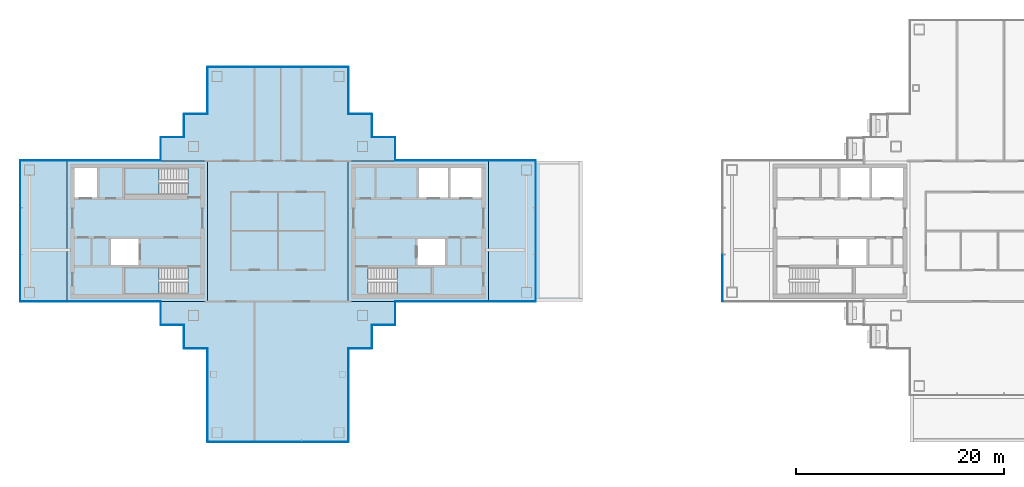
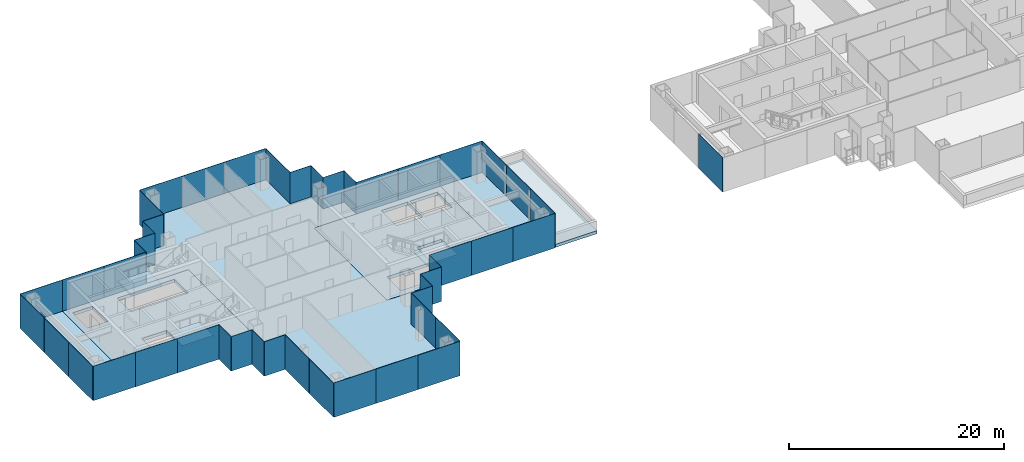
# One storey, part 7 of 16: 47 plates, 9 slabs, 24 elements without a shape of their own.
"""IFC4 building model written with IfcOpenShell, lengths in metres."""

from ifc_helpers import new_model, si_unit, direction, frame, origin, origin_2d, place, context, subcontext, project, spatial, polyline, rectangle, outline, extrude, material, layer, layer_set, type_object, element, aggregate, save


model = new_model("IFC4")

# Units and contexts
model_context = context("Model", 3, precision=1e-05, world=origin(), true_north=direction((0.0, 1.0)))
body_context = subcontext(model_context, "Body", "Model", "MODEL_VIEW")
ifc_project = project(units=[si_unit("LENGTHUNIT", "METRE"), si_unit("AREAUNIT", "SQUARE_METRE"), si_unit("VOLUMEUNIT", "CUBIC_METRE"), si_unit("PLANEANGLEUNIT", "RADIAN"), si_unit("MASSUNIT", "GRAM", prefix="KILO")], contexts=[model_context])

# Site, building, storey
site_placement = place(None, origin())
site = spatial("IfcSite", under=ifc_project, at=site_placement, CompositionType="ELEMENT")
building_placement = place(site_placement, origin())
building = spatial("IfcBuilding", under=site, at=building_placement, Name="Shamsa Quay Exchange Towers", CompositionType="ELEMENT")
storey_placement = place(building_placement, frame((0.0, 0.0, 182.699951171875)))
storey = spatial("IfcBuildingStorey", under=building, at=storey_placement, Name="L43", CompositionType="ELEMENT", Elevation=182.699951171875)

# Slabs
ifc_material_1 = material(Name="Concrete C50/60", Category="concrete")
ifc_layer_1 = layer(ifc_material_1, 0.35009765625)
ifc_layer_set_1 = layer_set([ifc_layer_1], Name="CORE FLOOR 350 C50/60")
slab_type_1 = type_object("IfcSlabType", Name="CORE FLOOR 350 C50/60", PredefinedType="FLOOR", material=ifc_layer_set_1)
slab_1_placement = place(storey_placement, frame((0.0, 0.0, -0.349853515625)))
element("IfcSlab", 1, at=slab_1_placement, inside=storey, type_object=slab_type_1, Name="Core floor T1A", PredefinedType="FLOOR", context=body_context, shape_type="SweptSolid", body=[
    extrude(outline(polyline([(-27.0, -6.75), (-13.5, -6.75), (-13.5, 6.75), (-27.0, 6.75), (-27.0, -6.75)]), holes=[polyline([(-25.099365234375, -6.050048828125), (-25.099365234375, -3.5), (-19.0, -3.5), (-19.0, -6.050048828125), (-25.099365234375, -6.050048828125)]), polyline([(-20.199951171875, 3.25), (-20.199951171875, 6.050048828125), (-17.39990234375, 6.050048828125), (-17.39990234375, 3.25), (-20.199951171875, 3.25)]), polyline([(-17.14990234375, 3.25), (-17.14990234375, 6.050048828125), (-14.199951171875, 6.050048828125), (-14.199951171875, 3.25), (-17.14990234375, 3.25)]), polyline([(-20.35009765625, -3.25), (-20.35009765625, -0.75), (-17.699951171875, -0.75), (-17.699951171875, -3.25), (-20.35009765625, -3.25)])]), origin(), (0.0, 0.0, 1.0), 0.349853515625),
])
slab_2_placement = place(storey_placement, frame((0.0, 0.0, -0.349853515625)))
element("IfcSlab", 2, at=slab_2_placement, inside=storey, type_object=slab_type_1, Name="Core floor T1B", PredefinedType="FLOOR", context=body_context, shape_type="SweptSolid", body=[
    extrude(outline(polyline([(-40.5, -6.75), (-40.5, 6.75), (-54.0, 6.75), (-54.0, -6.75), (-40.5, -6.75)]), holes=[polyline([(-42.400634765625, -3.5), (-42.400634765625, -6.050048828125), (-48.5, -6.050048828125), (-48.5, -3.5), (-42.400634765625, -3.5)]), polyline([(-42.400634765625, 6.050048828125), (-42.400634765625, 3.5), (-48.5, 3.5), (-48.5, 6.050048828125), (-42.400634765625, 6.050048828125)]), polyline([(-51.14990234375, 3.25), (-53.300048828125, 3.25), (-53.300048828125, 6.050048828125), (-51.14990234375, 6.050048828125), (-51.14990234375, 3.25)]), polyline([(-47.14990234375, -3.25), (-49.800048828125, -3.25), (-49.800048828125, -0.75), (-47.14990234375, -0.75), (-47.14990234375, -3.25)])]), origin(), (0.0, 0.0, 1.0), 0.349853515625),
])

# Stair, slab
ifc_material_2 = material(Name="Concrete C40/50", Category="concrete")
stair_type = type_object("IfcStairType", Name="EXIT STAIR 22 RISERS 177 MM", PredefinedType="HALF_TURN_STAIR", material=ifc_material_2)
stair_1_placement = place(storey_placement, origin())
stair_1 = element("IfcStair", 3, at=stair_1_placement, inside=storey, type_object=stair_type, Name="L43 Exit stair ST1", PredefinedType="HALF_TURN_STAIR")
ifc_layer_2 = layer(ifc_material_2, 0.199951171875)
ifc_layer_set_2 = layer_set([ifc_layer_2], Name="CORE STAIR LANDING")
slab_type_2 = type_object("IfcSlabType", Name="CORE STAIR LANDING", PredefinedType="LANDING", material=ifc_layer_set_2)
slab_3_placement = place(storey_placement, frame((0.0, 0.0, 1.75)))
slab_3 = element("IfcSlab", 4, at=slab_3_placement, type_object=slab_type_2, Name="ST1 landing 1", PredefinedType="LANDING", context=body_context, shape_type="SweptSolid", body=[
    extrude(outline(polyline([(-22.300048828125, -6.050048828125), (-19.0, -6.050048828125), (-19.0, -3.5), (-22.300048828125, -3.5), (-22.300048828125, -6.050048828125)])), origin(), (0.0, 0.0, 1.0), 0.199951171875),
])
aggregate(stair_1, [slab_3])

stair_2_placement = place(storey_placement, origin())
stair_2 = element("IfcStair", 5, at=stair_2_placement, inside=storey, type_object=stair_type, Name="L43 Exit stair ST2", PredefinedType="HALF_TURN_STAIR")
slab_4_placement = place(storey_placement, frame((0.0, 0.0, 1.75)))
slab_4 = element("IfcSlab", 6, at=slab_4_placement, type_object=slab_type_2, Name="ST2 landing 1", PredefinedType="LANDING", context=body_context, shape_type="SweptSolid", body=[
    extrude(outline(polyline([(-45.199951171875, -3.5), (-48.5, -3.5), (-48.5, -6.050048828125), (-45.199951171875, -6.050048828125), (-45.199951171875, -3.5)])), origin(), (0.0, 0.0, 1.0), 0.199951171875),
])
aggregate(stair_2, [slab_4])

stair_3_placement = place(storey_placement, origin())
stair_3 = element("IfcStair", 7, at=stair_3_placement, inside=storey, type_object=stair_type, Name="L43 Exit stair ST3", PredefinedType="HALF_TURN_STAIR")
slab_5_placement = place(storey_placement, frame((0.0, 0.0, 1.75)))
slab_5 = element("IfcSlab", 8, at=slab_5_placement, type_object=slab_type_2, Name="ST3 landing 1", PredefinedType="LANDING", context=body_context, shape_type="SweptSolid", body=[
    extrude(outline(polyline([(-45.199951171875, 6.050048828125), (-48.5, 6.050048828125), (-48.5, 3.5), (-45.199951171875, 3.5), (-45.199951171875, 6.050048828125)])), origin(), (0.0, 0.0, 1.0), 0.199951171875),
])
aggregate(stair_3, [slab_5])

# Curtain wall, plates
ifc_material_3 = material(Name="Aluminium EN AW-6063 T6, black anodised", Category="aluminium")
ifc_layer_3 = layer(ifc_material_3, 0.280029296875)
ifc_layer_set_3 = layer_set([ifc_layer_3], Name="CW-1 UNITISED VISION GLASS")
curtain_wall_type_1 = type_object("IfcCurtainWallType", Name="CW-1 UNITISED VISION GLASS", PredefinedType="NOTDEFINED", material=ifc_layer_set_3)
curtain_wall_1_placement = place(storey_placement, origin())
curtain_wall_1 = element("IfcCurtainWall", 9, at=curtain_wall_1_placement, inside=storey, type_object=curtain_wall_type_1, Name="CW1 T1-FLK-V-W L43", PredefinedType="NOTDEFINED")
ifc_material_4 = material(Name="Glass, laminated, dark tinted", Category="glass")
ifc_layer_4 = layer(ifc_material_4, 0.0400390625)
ifc_layer_set_4 = layer_set([ifc_layer_4], Name="CW-1 VISION GLASS 40")
plate_type_1 = type_object("IfcPlateType", Name="CW-1 VISION GLASS 40", PredefinedType="CURTAIN_PANEL", material=ifc_layer_set_4)
plate_1_placement = place(storey_placement, frame((-40.52001953125, -13.52587890625, -0.349853515625), z_axis=(0.0, 0.0, 1.0), x_axis=(0.0, -1.0, 0.0)))
plate_1 = element("IfcPlate", 10, at=plate_1_placement, type_object=plate_type_1, Name="CW1 glass panel", PredefinedType="CURTAIN_PANEL", context=body_context, shape_type="SweptSolid", body=[
    extrude(rectangle(XDim=4.47607421875, YDim=0.0400390625, at=origin_2d()), origin(), (0.0, 0.0, 1.0), 3.89990234375),
])
plate_2_placement = place(storey_placement, frame((-40.52001953125, -18.011962890625, -0.349853515625), z_axis=(0.0, 0.0, 1.0), x_axis=(0.0, -1.0, 0.0)))
plate_2 = element("IfcPlate", 11, at=plate_2_placement, type_object=plate_type_1, Name="CW1 glass panel", PredefinedType="CURTAIN_PANEL", context=body_context, shape_type="SweptSolid", body=[
    extrude(rectangle(XDim=4.47607421875, YDim=0.0400390625, at=origin_2d()), origin(), (0.0, 0.0, 1.0), 3.89990234375),
])
aggregate(curtain_wall_1, [plate_1, plate_2])

curtain_wall_2_placement = place(storey_placement, origin())
curtain_wall_2 = element("IfcCurtainWall", 12, at=curtain_wall_2_placement, inside=storey, type_object=curtain_wall_type_1, Name="CW1 T1-END-V- L43", PredefinedType="NOTDEFINED")
plate_3_placement = place(storey_placement, frame((-38.25244140625, -20.27001953125, -0.349853515625)))
plate_3 = element("IfcPlate", 13, at=plate_3_placement, type_object=plate_type_1, Name="CW1 glass panel", PredefinedType="CURTAIN_PANEL", context=body_context, shape_type="SweptSolid", body=[
    extrude(rectangle(XDim=4.4951171875, YDim=0.0400390625, at=origin_2d()), origin(), (0.0, 0.0, 1.0), 3.89990234375),
])
plate_4_placement = place(storey_placement, frame((-33.75, -20.27001953125, -0.349853515625)))
plate_4 = element("IfcPlate", 14, at=plate_4_placement, type_object=plate_type_1, Name="CW1 glass panel", PredefinedType="CURTAIN_PANEL", context=body_context, shape_type="SweptSolid", body=[
    extrude(rectangle(XDim=4.489990234375, YDim=0.0400390625, at=origin_2d()), origin(), (0.0, 0.0, 1.0), 3.89990234375),
])
plate_5_placement = place(storey_placement, frame((-29.24755859375, -20.27001953125, -0.349853515625)))
plate_5 = element("IfcPlate", 15, at=plate_5_placement, type_object=plate_type_1, Name="CW1 glass panel", PredefinedType="CURTAIN_PANEL", context=body_context, shape_type="SweptSolid", body=[
    extrude(rectangle(XDim=4.4951171875, YDim=0.0400390625, at=origin_2d()), origin(), (0.0, 0.0, 1.0), 3.89990234375),
])
aggregate(curtain_wall_2, [plate_3, plate_4, plate_5])

curtain_wall_3_placement = place(storey_placement, origin())
curtain_wall_3 = element("IfcCurtainWall", 16, at=curtain_wall_3_placement, inside=storey, type_object=curtain_wall_type_1, Name="CW1 T1-FLK-V-E L43", PredefinedType="NOTDEFINED")
plate_6_placement = place(storey_placement, frame((-26.97998046875, -18.00244140625, -0.349853515625), z_axis=(0.0, 0.0, 1.0), x_axis=(0.0, 1.0, 0.0)))
plate_6 = element("IfcPlate", 17, at=plate_6_placement, type_object=plate_type_1, Name="CW1 glass panel", PredefinedType="CURTAIN_PANEL", context=body_context, shape_type="SweptSolid", body=[
    extrude(rectangle(XDim=4.4951171875, YDim=0.0400390625, at=origin_2d()), origin(), (0.0, 0.0, 1.0), 3.89990234375),
])
plate_7_placement = place(storey_placement, frame((-26.97998046875, -13.49755859375, -0.349853515625), z_axis=(0.0, 0.0, 1.0), x_axis=(0.0, 1.0, 0.0)))
plate_7 = element("IfcPlate", 18, at=plate_7_placement, type_object=plate_type_1, Name="CW1 glass panel", PredefinedType="CURTAIN_PANEL", context=body_context, shape_type="SweptSolid", body=[
    extrude(rectangle(XDim=4.4951171875, YDim=0.0400390625, at=origin_2d()), origin(), (0.0, 0.0, 1.0), 3.89990234375),
])
aggregate(curtain_wall_3, [plate_6, plate_7])

# Curtain wall, plate
curtain_wall_4_placement = place(storey_placement, origin())
curtain_wall_4 = element("IfcCurtainWall", 19, at=curtain_wall_4_placement, inside=storey, type_object=curtain_wall_type_1, Name="CW1 T1-FLK-U+S L43", PredefinedType="NOTDEFINED")
plate_8_placement = place(storey_placement, frame((-11.25, -6.77001953125, -0.349853515625)))
plate_8 = element("IfcPlate", 20, at=plate_8_placement, type_object=plate_type_1, Name="CW1 glass panel", PredefinedType="CURTAIN_PANEL", context=body_context, shape_type="SweptSolid", body=[
    extrude(rectangle(XDim=4.5, YDim=0.0400390625, at=origin_2d()), origin(), (0.0, 0.0, 1.0), 3.89990234375),
])
aggregate(curtain_wall_4, [plate_8])

# Curtain wall, plates
curtain_wall_5_placement = place(storey_placement, origin())
curtain_wall_5 = element("IfcCurtainWall", 21, at=curtain_wall_5_placement, inside=storey, type_object=curtain_wall_type_1, Name="CW1 T1-END-U+ L43", PredefinedType="NOTDEFINED")
plate_9_placement = place(storey_placement, frame((-8.97998046875, -4.50244140625, -0.349853515625), z_axis=(0.0, 0.0, 1.0), x_axis=(0.0, 1.0, 0.0)))
plate_9 = element("IfcPlate", 22, at=plate_9_placement, type_object=plate_type_1, Name="CW1 glass panel", PredefinedType="CURTAIN_PANEL", context=body_context, shape_type="SweptSolid", body=[
    extrude(rectangle(XDim=4.4951171875, YDim=0.0400390625, at=origin_2d()), origin(), (0.0, 0.0, 1.0), 3.89990234375),
])
plate_10_placement = place(storey_placement, frame((-8.97998046875, 0.0, -0.349853515625), z_axis=(0.0, 0.0, 1.0), x_axis=(0.0, 1.0, 0.0)))
plate_10 = element("IfcPlate", 23, at=plate_10_placement, type_object=plate_type_1, Name="CW1 glass panel", PredefinedType="CURTAIN_PANEL", context=body_context, shape_type="SweptSolid", body=[
    extrude(rectangle(XDim=4.489990234375, YDim=0.0400390625, at=origin_2d()), origin(), (0.0, 0.0, 1.0), 3.89990234375),
])
plate_11_placement = place(storey_placement, frame((-8.97998046875, 4.50244140625, -0.349853515625), z_axis=(0.0, 0.0, 1.0), x_axis=(0.0, 1.0, 0.0)))
plate_11 = element("IfcPlate", 24, at=plate_11_placement, type_object=plate_type_1, Name="CW1 glass panel", PredefinedType="CURTAIN_PANEL", context=body_context, shape_type="SweptSolid", body=[
    extrude(rectangle(XDim=4.4951171875, YDim=0.0400390625, at=origin_2d()), origin(), (0.0, 0.0, 1.0), 3.89990234375),
])
aggregate(curtain_wall_5, [plate_9, plate_10, plate_11])

# Curtain wall, plate
curtain_wall_6_placement = place(storey_placement, origin())
curtain_wall_6 = element("IfcCurtainWall", 25, at=curtain_wall_6_placement, inside=storey, type_object=curtain_wall_type_1, Name="CW1 T1-FLK-U+N L43", PredefinedType="NOTDEFINED")
plate_12_placement = place(storey_placement, frame((-11.25, 6.77001953125, -0.349853515625), z_axis=(0.0, 0.0, 1.0), x_axis=(-1.0, 0.0, 0.0)))
plate_12 = element("IfcPlate", 26, at=plate_12_placement, type_object=plate_type_1, Name="CW1 glass panel", PredefinedType="CURTAIN_PANEL", context=body_context, shape_type="SweptSolid", body=[
    extrude(rectangle(XDim=4.5, YDim=0.0400390625, at=origin_2d()), origin(), (0.0, 0.0, 1.0), 3.89990234375),
])
aggregate(curtain_wall_6, [plate_12])

curtain_wall_7_placement = place(storey_placement, origin())
curtain_wall_7 = element("IfcCurtainWall", 27, at=curtain_wall_7_placement, inside=storey, type_object=curtain_wall_type_1, Name="CW1 T1-FLK-V+E L43", PredefinedType="NOTDEFINED")
plate_13_placement = place(storey_placement, frame((-26.97998046875, 13.51904296875, -0.349853515625), z_axis=(0.0, 0.0, 1.0), x_axis=(0.0, 1.0, 0.0)))
plate_13 = element("IfcPlate", 28, at=plate_13_placement, type_object=plate_type_1, Name="CW1 glass panel", PredefinedType="CURTAIN_PANEL", context=body_context, shape_type="SweptSolid", body=[
    extrude(rectangle(XDim=4.4619140625, YDim=0.0400390625, at=origin_2d()), origin(), (0.0, 0.0, 1.0), 3.89990234375),
])
aggregate(curtain_wall_7, [plate_13])

# Curtain wall, plates
curtain_wall_8_placement = place(storey_placement, origin())
curtain_wall_8 = element("IfcCurtainWall", 29, at=curtain_wall_8_placement, inside=storey, type_object=curtain_wall_type_1, Name="CW1 T1-END-V+ L43", PredefinedType="NOTDEFINED")
plate_14_placement = place(storey_placement, frame((-29.24755859375, 15.77001953125, -0.349853515625), z_axis=(0.0, 0.0, 1.0), x_axis=(-1.0, 0.0, 0.0)))
plate_14 = element("IfcPlate", 30, at=plate_14_placement, type_object=plate_type_1, Name="CW1 glass panel", PredefinedType="CURTAIN_PANEL", context=body_context, shape_type="SweptSolid", body=[
    extrude(rectangle(XDim=4.4951171875, YDim=0.0400390625, at=origin_2d()), origin(), (0.0, 0.0, 1.0), 3.89990234375),
])
plate_15_placement = place(storey_placement, frame((-33.75, 15.77001953125, -0.349853515625), z_axis=(0.0, 0.0, 1.0), x_axis=(-1.0, 0.0, 0.0)))
plate_15 = element("IfcPlate", 31, at=plate_15_placement, type_object=plate_type_1, Name="CW1 glass panel", PredefinedType="CURTAIN_PANEL", context=body_context, shape_type="SweptSolid", body=[
    extrude(rectangle(XDim=4.489990234375, YDim=0.0400390625, at=origin_2d()), origin(), (0.0, 0.0, 1.0), 3.89990234375),
])
plate_16_placement = place(storey_placement, frame((-38.25244140625, 15.77001953125, -0.349853515625), z_axis=(0.0, 0.0, 1.0), x_axis=(-1.0, 0.0, 0.0)))
plate_16 = element("IfcPlate", 32, at=plate_16_placement, type_object=plate_type_1, Name="CW1 glass panel", PredefinedType="CURTAIN_PANEL", context=body_context, shape_type="SweptSolid", body=[
    extrude(rectangle(XDim=4.4951171875, YDim=0.0400390625, at=origin_2d()), origin(), (0.0, 0.0, 1.0), 3.89990234375),
])
aggregate(curtain_wall_8, [plate_14, plate_15, plate_16])

# Curtain wall, plate
curtain_wall_9_placement = place(storey_placement, origin())
curtain_wall_9 = element("IfcCurtainWall", 33, at=curtain_wall_9_placement, inside=storey, type_object=curtain_wall_type_1, Name="CW1 T1-FLK-V+W L43", PredefinedType="NOTDEFINED")
plate_17_placement = place(storey_placement, frame((-40.52001953125, 13.5, -0.349853515625), z_axis=(0.0, 0.0, 1.0), x_axis=(0.0, -1.0, 0.0)))
plate_17 = element("IfcPlate", 34, at=plate_17_placement, type_object=plate_type_1, Name="CW1 glass panel", PredefinedType="CURTAIN_PANEL", context=body_context, shape_type="SweptSolid", body=[
    extrude(rectangle(XDim=4.5, YDim=0.0400390625, at=origin_2d()), origin(), (0.0, 0.0, 1.0), 3.89990234375),
])
aggregate(curtain_wall_9, [plate_17])

curtain_wall_10_placement = place(storey_placement, origin())
curtain_wall_10 = element("IfcCurtainWall", 35, at=curtain_wall_10_placement, inside=storey, type_object=curtain_wall_type_1, Name="CW1 T1-FLK-U-N L43", PredefinedType="NOTDEFINED")
plate_18_placement = place(storey_placement, frame((-56.25, 6.77001953125, -0.349853515625), z_axis=(0.0, 0.0, 1.0), x_axis=(-1.0, 0.0, 0.0)))
plate_18 = element("IfcPlate", 36, at=plate_18_placement, type_object=plate_type_1, Name="CW1 glass panel", PredefinedType="CURTAIN_PANEL", context=body_context, shape_type="SweptSolid", body=[
    extrude(rectangle(XDim=4.5, YDim=0.0400390625, at=origin_2d()), origin(), (0.0, 0.0, 1.0), 3.89990234375),
])
aggregate(curtain_wall_10, [plate_18])

# Curtain wall, plates
curtain_wall_11_placement = place(storey_placement, origin())
curtain_wall_11 = element("IfcCurtainWall", 37, at=curtain_wall_11_placement, inside=storey, type_object=curtain_wall_type_1, Name="CW1 T1-END-U- L43", PredefinedType="NOTDEFINED")
plate_19_placement = place(storey_placement, frame((-58.52001953125, 4.50244140625, -0.349853515625), z_axis=(0.0, 0.0, 1.0), x_axis=(0.0, -1.0, 0.0)))
plate_19 = element("IfcPlate", 38, at=plate_19_placement, type_object=plate_type_1, Name="CW1 glass panel", PredefinedType="CURTAIN_PANEL", context=body_context, shape_type="SweptSolid", body=[
    extrude(rectangle(XDim=4.4951171875, YDim=0.0400390625, at=origin_2d()), origin(), (0.0, 0.0, 1.0), 3.89990234375),
])
plate_20_placement = place(storey_placement, frame((-58.52001953125, 0.0, -0.349853515625), z_axis=(0.0, 0.0, 1.0), x_axis=(0.0, -1.0, 0.0)))
plate_20 = element("IfcPlate", 39, at=plate_20_placement, type_object=plate_type_1, Name="CW1 glass panel", PredefinedType="CURTAIN_PANEL", context=body_context, shape_type="SweptSolid", body=[
    extrude(rectangle(XDim=4.489990234375, YDim=0.0400390625, at=origin_2d()), origin(), (0.0, 0.0, 1.0), 3.89990234375),
])
plate_21_placement = place(storey_placement, frame((-58.52001953125, -4.50244140625, -0.349853515625), z_axis=(0.0, 0.0, 1.0), x_axis=(0.0, -1.0, 0.0)))
plate_21 = element("IfcPlate", 40, at=plate_21_placement, type_object=plate_type_1, Name="CW1 glass panel", PredefinedType="CURTAIN_PANEL", context=body_context, shape_type="SweptSolid", body=[
    extrude(rectangle(XDim=4.4951171875, YDim=0.0400390625, at=origin_2d()), origin(), (0.0, 0.0, 1.0), 3.89990234375),
])
aggregate(curtain_wall_11, [plate_19, plate_20, plate_21])

# Curtain wall, plate
curtain_wall_12_placement = place(storey_placement, origin())
curtain_wall_12 = element("IfcCurtainWall", 41, at=curtain_wall_12_placement, inside=storey, type_object=curtain_wall_type_1, Name="CW1 T1-FLK-U-S L43", PredefinedType="NOTDEFINED")
plate_22_placement = place(storey_placement, frame((-56.25, -6.77001953125, -0.349853515625)))
plate_22 = element("IfcPlate", 42, at=plate_22_placement, type_object=plate_type_1, Name="CW1 glass panel", PredefinedType="CURTAIN_PANEL", context=body_context, shape_type="SweptSolid", body=[
    extrude(rectangle(XDim=4.5, YDim=0.0400390625, at=origin_2d()), origin(), (0.0, 0.0, 1.0), 3.89990234375),
])
aggregate(curtain_wall_12, [plate_22])

curtain_wall_13_placement = place(storey_placement, origin())
curtain_wall_13 = element("IfcCurtainWall", 43, at=curtain_wall_13_placement, inside=storey, type_object=curtain_wall_type_1, Name="CW1 T2-END-V+ L43", PredefinedType="NOTDEFINED")
plate_23_placement = place(storey_placement, frame((8.97998046875, -4.50244140625, -0.349853515625), z_axis=(0.0, 0.0, 1.0), x_axis=(0.0, -1.0, 0.0)))
plate_23 = element("IfcPlate", 44, at=plate_23_placement, type_object=plate_type_1, Name="CW1 glass panel", PredefinedType="CURTAIN_PANEL", context=body_context, shape_type="SweptSolid", body=[
    extrude(rectangle(XDim=4.4951171875, YDim=0.0400390625, at=origin_2d()), origin(), (0.0, 0.0, 1.0), 3.89990234375),
])
aggregate(curtain_wall_13, [plate_23])

# Curtain wall, plates
ifc_layer_5 = layer(ifc_material_3, 0.303955078125)
ifc_layer_set_5 = layer_set([ifc_layer_5], Name="CW-2 UNITISED OPAQUE SPANDREL GLASS")
curtain_wall_type_2 = type_object("IfcCurtainWallType", Name="CW-2 UNITISED OPAQUE SPANDREL GLASS", PredefinedType="NOTDEFINED", material=ifc_layer_set_5)
curtain_wall_14_placement = place(storey_placement, origin())
curtain_wall_14 = element("IfcCurtainWall", 45, at=curtain_wall_14_placement, inside=storey, type_object=curtain_wall_type_2, Name="CW2 T1-FLK-U+S L43", PredefinedType="NOTDEFINED")
ifc_material_5 = material(Name="Glass, laminated, black enamelled opaque", Category="glass")
ifc_layer_6 = layer(ifc_material_5, 0.0439453125)
ifc_layer_set_6 = layer_set([ifc_layer_6], Name="CW-2 SPANDREL GLASS 44")
plate_type_2 = type_object("IfcPlateType", Name="CW-2 SPANDREL GLASS 44", PredefinedType="CURTAIN_PANEL", material=ifc_layer_set_6)
plate_24_placement = place(storey_placement, frame((-20.22412109375, -6.77197265625, -0.349853515625)))
plate_24 = element("IfcPlate", 46, at=plate_24_placement, type_object=plate_type_2, Name="CW2 glass panel", PredefinedType="CURTAIN_PANEL", context=body_context, shape_type="SweptSolid", body=[
    extrude(rectangle(XDim=4.47607421875, YDim=0.0439453125, at=origin_2d()), origin(), (0.0, 0.0, 1.0), 3.89990234375),
])
plate_25_placement = place(storey_placement, frame((-15.738037109375, -6.77197265625, -0.349853515625)))
plate_25 = element("IfcPlate", 47, at=plate_25_placement, type_object=plate_type_2, Name="CW2 glass panel", PredefinedType="CURTAIN_PANEL", context=body_context, shape_type="SweptSolid", body=[
    extrude(rectangle(XDim=4.47607421875, YDim=0.0439453125, at=origin_2d()), origin(), (0.0, 0.0, 1.0), 3.89990234375),
])
aggregate(curtain_wall_14, [plate_24, plate_25])

curtain_wall_15_placement = place(storey_placement, origin())
curtain_wall_15 = element("IfcCurtainWall", 48, at=curtain_wall_15_placement, inside=storey, type_object=curtain_wall_type_2, Name="CW2 T1-FLK-U+N L43", PredefinedType="NOTDEFINED")
plate_26_placement = place(storey_placement, frame((-15.74755859375, 6.77197265625, -0.349853515625), z_axis=(0.0, 0.0, 1.0), x_axis=(-1.0, 0.0, 0.0)))
plate_26 = element("IfcPlate", 49, at=plate_26_placement, type_object=plate_type_2, Name="CW2 glass panel", PredefinedType="CURTAIN_PANEL", context=body_context, shape_type="SweptSolid", body=[
    extrude(rectangle(XDim=4.4951171875, YDim=0.0439453125, at=origin_2d()), origin(), (0.0, 0.0, 1.0), 3.89990234375),
])
plate_27_placement = place(storey_placement, frame((-20.25244140625, 6.77197265625, -0.349853515625), z_axis=(0.0, 0.0, 1.0), x_axis=(-1.0, 0.0, 0.0)))
plate_27 = element("IfcPlate", 50, at=plate_27_placement, type_object=plate_type_2, Name="CW2 glass panel", PredefinedType="CURTAIN_PANEL", context=body_context, shape_type="SweptSolid", body=[
    extrude(rectangle(XDim=4.4951171875, YDim=0.0439453125, at=origin_2d()), origin(), (0.0, 0.0, 1.0), 3.89990234375),
])
aggregate(curtain_wall_15, [plate_26, plate_27])

curtain_wall_16_placement = place(storey_placement, origin())
curtain_wall_16 = element("IfcCurtainWall", 51, at=curtain_wall_16_placement, inside=storey, type_object=curtain_wall_type_2, Name="CW2 T1-FLK-U-N L43", PredefinedType="NOTDEFINED")
plate_28_placement = place(storey_placement, frame((-47.27587890625, 6.77197265625, -0.349853515625), z_axis=(0.0, 0.0, 1.0), x_axis=(-1.0, 0.0, 0.0)))
plate_28 = element("IfcPlate", 52, at=plate_28_placement, type_object=plate_type_2, Name="CW2 glass panel", PredefinedType="CURTAIN_PANEL", context=body_context, shape_type="SweptSolid", body=[
    extrude(rectangle(XDim=4.47607421875, YDim=0.0439453125, at=origin_2d()), origin(), (0.0, 0.0, 1.0), 3.89990234375),
])
plate_29_placement = place(storey_placement, frame((-51.761962890625, 6.77197265625, -0.349853515625), z_axis=(0.0, 0.0, 1.0), x_axis=(-1.0, 0.0, 0.0)))
plate_29 = element("IfcPlate", 53, at=plate_29_placement, type_object=plate_type_2, Name="CW2 glass panel", PredefinedType="CURTAIN_PANEL", context=body_context, shape_type="SweptSolid", body=[
    extrude(rectangle(XDim=4.47607421875, YDim=0.0439453125, at=origin_2d()), origin(), (0.0, 0.0, 1.0), 3.89990234375),
])
aggregate(curtain_wall_16, [plate_28, plate_29])

curtain_wall_17_placement = place(storey_placement, origin())
curtain_wall_17 = element("IfcCurtainWall", 54, at=curtain_wall_17_placement, inside=storey, type_object=curtain_wall_type_2, Name="CW2 T1-FLK-U-S L43", PredefinedType="NOTDEFINED")
plate_30_placement = place(storey_placement, frame((-51.75244140625, -6.77197265625, -0.349853515625)))
plate_30 = element("IfcPlate", 55, at=plate_30_placement, type_object=plate_type_2, Name="CW2 glass panel", PredefinedType="CURTAIN_PANEL", context=body_context, shape_type="SweptSolid", body=[
    extrude(rectangle(XDim=4.4951171875, YDim=0.0439453125, at=origin_2d()), origin(), (0.0, 0.0, 1.0), 3.89990234375),
])
plate_31_placement = place(storey_placement, frame((-47.24755859375, -6.77197265625, -0.349853515625)))
plate_31 = element("IfcPlate", 56, at=plate_31_placement, type_object=plate_type_2, Name="CW2 glass panel", PredefinedType="CURTAIN_PANEL", context=body_context, shape_type="SweptSolid", body=[
    extrude(rectangle(XDim=4.4951171875, YDim=0.0439453125, at=origin_2d()), origin(), (0.0, 0.0, 1.0), 3.89990234375),
])
aggregate(curtain_wall_17, [plate_30, plate_31])

ifc_layer_7 = layer(ifc_material_3, 0.256103515625)
ifc_layer_set_7 = layer_set([ifc_layer_7], Name="CW-4 POCKET SERRATED GLAZING")
curtain_wall_type_3 = type_object("IfcCurtainWallType", Name="CW-4 POCKET SERRATED GLAZING", PredefinedType="NOTDEFINED", material=ifc_layer_set_7)
curtain_wall_18_placement = place(storey_placement, origin())
curtain_wall_18 = element("IfcCurtainWall", 57, at=curtain_wall_18_placement, inside=storey, type_object=curtain_wall_type_3, Name="CW4 PKWS L43", PredefinedType="NOTDEFINED")
ifc_layer_8 = layer(ifc_material_4, 0.035888671875)
ifc_layer_set_8 = layer_set([ifc_layer_8], Name="CW-4 POCKET GLASS 36")
plate_type_3 = type_object("IfcPlateType", Name="CW-4 POCKET GLASS 36", PredefinedType="CURTAIN_PANEL", material=ifc_layer_set_8)
plate_32_placement = place(storey_placement, frame((-42.76806640625, -10.14404296875, -0.349853515625), z_axis=(0.0, 0.0, 1.0), x_axis=(0.0, -1.0, 0.0)))
plate_32 = element("IfcPlate", 58, at=plate_32_placement, type_object=plate_type_3, Name="CW4 glass panel", PredefinedType="CURTAIN_PANEL", context=body_context, shape_type="SweptSolid", body=[
    extrude(rectangle(XDim=2.2119140625, YDim=0.035888671875, at=origin_2d()), origin(), (0.0, 0.0, 1.0), 3.89990234375),
])
plate_33_placement = place(storey_placement, frame((-41.625, -11.26806640625, -0.349853515625)))
plate_33 = element("IfcPlate", 59, at=plate_33_placement, type_object=plate_type_3, Name="CW4 glass panel", PredefinedType="CURTAIN_PANEL", context=body_context, shape_type="SweptSolid", body=[
    extrude(rectangle(XDim=2.25, YDim=0.035888671875, at=origin_2d()), origin(), (0.0, 0.0, 1.0), 3.89990234375),
])
plate_34_placement = place(storey_placement, frame((-45.01806640625, -7.89794921875, -0.349853515625), z_axis=(0.0, 0.0, 1.0), x_axis=(0.0, -1.0, 0.0)))
plate_34 = element("IfcPlate", 60, at=plate_34_placement, type_object=plate_type_3, Name="CW4 glass panel", PredefinedType="CURTAIN_PANEL", context=body_context, shape_type="SweptSolid", body=[
    extrude(rectangle(XDim=2.2041015625, YDim=0.035888671875, at=origin_2d()), origin(), (0.0, 0.0, 1.0), 3.89990234375),
])
plate_35_placement = place(storey_placement, frame((-43.875, -9.01806640625, -0.349853515625)))
plate_35 = element("IfcPlate", 61, at=plate_35_placement, type_object=plate_type_3, Name="CW4 glass panel", PredefinedType="CURTAIN_PANEL", context=body_context, shape_type="SweptSolid", body=[
    extrude(rectangle(XDim=2.25, YDim=0.035888671875, at=origin_2d()), origin(), (0.0, 0.0, 1.0), 3.89990234375),
])
aggregate(curtain_wall_18, [plate_32, plate_33, plate_34, plate_35])

curtain_wall_19_placement = place(storey_placement, origin())
curtain_wall_19 = element("IfcCurtainWall", 62, at=curtain_wall_19_placement, inside=storey, type_object=curtain_wall_type_3, Name="CW4 PKES L43", PredefinedType="NOTDEFINED")
plate_36_placement = place(storey_placement, frame((-25.85400390625, -11.26806640625, -0.349853515625)))
plate_36 = element("IfcPlate", 63, at=plate_36_placement, type_object=plate_type_3, Name="CW4 glass panel", PredefinedType="CURTAIN_PANEL", context=body_context, shape_type="SweptSolid", body=[
    extrude(rectangle(XDim=2.2080078125, YDim=0.035888671875, at=origin_2d()), origin(), (0.0, 0.0, 1.0), 3.89990234375),
])
plate_37_placement = place(storey_placement, frame((-24.73193359375, -10.125, -0.349853515625), z_axis=(0.0, 0.0, 1.0), x_axis=(0.0, 1.0, 0.0)))
plate_37 = element("IfcPlate", 64, at=plate_37_placement, type_object=plate_type_3, Name="CW4 glass panel", PredefinedType="CURTAIN_PANEL", context=body_context, shape_type="SweptSolid", body=[
    extrude(rectangle(XDim=2.25, YDim=0.035888671875, at=origin_2d()), origin(), (0.0, 0.0, 1.0), 3.89990234375),
])
plate_38_placement = place(storey_placement, frame((-23.60595703125, -9.01806640625, -0.349853515625)))
plate_38 = element("IfcPlate", 65, at=plate_38_placement, type_object=plate_type_3, Name="CW4 glass panel", PredefinedType="CURTAIN_PANEL", context=body_context, shape_type="SweptSolid", body=[
    extrude(rectangle(XDim=2.2119140625, YDim=0.035888671875, at=origin_2d()), origin(), (0.0, 0.0, 1.0), 3.89990234375),
])
plate_39_placement = place(storey_placement, frame((-22.48193359375, -7.875, -0.349853515625), z_axis=(0.0, 0.0, 1.0), x_axis=(0.0, 1.0, 0.0)))
plate_39 = element("IfcPlate", 66, at=plate_39_placement, type_object=plate_type_3, Name="CW4 glass panel", PredefinedType="CURTAIN_PANEL", context=body_context, shape_type="SweptSolid", body=[
    extrude(rectangle(XDim=2.25, YDim=0.035888671875, at=origin_2d()), origin(), (0.0, 0.0, 1.0), 3.89990234375),
])
aggregate(curtain_wall_19, [plate_36, plate_37, plate_38, plate_39])

curtain_wall_20_placement = place(storey_placement, origin())
curtain_wall_20 = element("IfcCurtainWall", 67, at=curtain_wall_20_placement, inside=storey, type_object=curtain_wall_type_3, Name="CW4 PKEN L43", PredefinedType="NOTDEFINED")
plate_40_placement = place(storey_placement, frame((-22.48193359375, 7.89794921875, -0.349853515625), z_axis=(0.0, 0.0, 1.0), x_axis=(0.0, 1.0, 0.0)))
plate_40 = element("IfcPlate", 68, at=plate_40_placement, type_object=plate_type_3, Name="CW4 glass panel", PredefinedType="CURTAIN_PANEL", context=body_context, shape_type="SweptSolid", body=[
    extrude(rectangle(XDim=2.2041015625, YDim=0.035888671875, at=origin_2d()), origin(), (0.0, 0.0, 1.0), 3.89990234375),
])
plate_41_placement = place(storey_placement, frame((-23.625, 9.01806640625, -0.349853515625), z_axis=(0.0, 0.0, 1.0), x_axis=(-1.0, 0.0, 0.0)))
plate_41 = element("IfcPlate", 69, at=plate_41_placement, type_object=plate_type_3, Name="CW4 glass panel", PredefinedType="CURTAIN_PANEL", context=body_context, shape_type="SweptSolid", body=[
    extrude(rectangle(XDim=2.25, YDim=0.035888671875, at=origin_2d()), origin(), (0.0, 0.0, 1.0), 3.89990234375),
])
plate_42_placement = place(storey_placement, frame((-24.73193359375, 10.14404296875, -0.349853515625), z_axis=(0.0, 0.0, 1.0), x_axis=(0.0, 1.0, 0.0)))
plate_42 = element("IfcPlate", 70, at=plate_42_placement, type_object=plate_type_3, Name="CW4 glass panel", PredefinedType="CURTAIN_PANEL", context=body_context, shape_type="SweptSolid", body=[
    extrude(rectangle(XDim=2.2119140625, YDim=0.035888671875, at=origin_2d()), origin(), (0.0, 0.0, 1.0), 3.89990234375),
])
plate_43_placement = place(storey_placement, frame((-25.875, 11.26806640625, -0.349853515625), z_axis=(0.0, 0.0, 1.0), x_axis=(-1.0, 0.0, 0.0)))
plate_43 = element("IfcPlate", 71, at=plate_43_placement, type_object=plate_type_3, Name="CW4 glass panel", PredefinedType="CURTAIN_PANEL", context=body_context, shape_type="SweptSolid", body=[
    extrude(rectangle(XDim=2.25, YDim=0.035888671875, at=origin_2d()), origin(), (0.0, 0.0, 1.0), 3.89990234375),
])
aggregate(curtain_wall_20, [plate_40, plate_41, plate_42, plate_43])

curtain_wall_21_placement = place(storey_placement, origin())
curtain_wall_21 = element("IfcCurtainWall", 72, at=curtain_wall_21_placement, inside=storey, type_object=curtain_wall_type_3, Name="CW4 PKWN L43", PredefinedType="NOTDEFINED")
plate_44_placement = place(storey_placement, frame((-41.64599609375, 11.26806640625, -0.349853515625), z_axis=(0.0, 0.0, 1.0), x_axis=(-1.0, 0.0, 0.0)))
plate_44 = element("IfcPlate", 73, at=plate_44_placement, type_object=plate_type_3, Name="CW4 glass panel", PredefinedType="CURTAIN_PANEL", context=body_context, shape_type="SweptSolid", body=[
    extrude(rectangle(XDim=2.2080078125, YDim=0.035888671875, at=origin_2d()), origin(), (0.0, 0.0, 1.0), 3.89990234375),
])
plate_45_placement = place(storey_placement, frame((-42.76806640625, 10.125, -0.349853515625), z_axis=(0.0, 0.0, 1.0), x_axis=(0.0, -1.0, 0.0)))
plate_45 = element("IfcPlate", 74, at=plate_45_placement, type_object=plate_type_3, Name="CW4 glass panel", PredefinedType="CURTAIN_PANEL", context=body_context, shape_type="SweptSolid", body=[
    extrude(rectangle(XDim=2.25, YDim=0.035888671875, at=origin_2d()), origin(), (0.0, 0.0, 1.0), 3.89990234375),
])
plate_46_placement = place(storey_placement, frame((-43.89404296875, 9.01806640625, -0.349853515625), z_axis=(0.0, 0.0, 1.0), x_axis=(-1.0, 0.0, 0.0)))
plate_46 = element("IfcPlate", 75, at=plate_46_placement, type_object=plate_type_3, Name="CW4 glass panel", PredefinedType="CURTAIN_PANEL", context=body_context, shape_type="SweptSolid", body=[
    extrude(rectangle(XDim=2.2119140625, YDim=0.035888671875, at=origin_2d()), origin(), (0.0, 0.0, 1.0), 3.89990234375),
])
plate_47_placement = place(storey_placement, frame((-45.01806640625, 7.875, -0.349853515625), z_axis=(0.0, 0.0, 1.0), x_axis=(0.0, -1.0, 0.0)))
plate_47 = element("IfcPlate", 76, at=plate_47_placement, type_object=plate_type_3, Name="CW4 glass panel", PredefinedType="CURTAIN_PANEL", context=body_context, shape_type="SweptSolid", body=[
    extrude(rectangle(XDim=2.25, YDim=0.035888671875, at=origin_2d()), origin(), (0.0, 0.0, 1.0), 3.89990234375),
])
aggregate(curtain_wall_21, [plate_44, plate_45, plate_46, plate_47])

# Slabs
ifc_layer_9 = layer(ifc_material_2, 0.35009765625)
ifc_layer_set_9 = layer_set([ifc_layer_9], Name="Flat slab 350")
slab_type_3 = type_object("IfcSlabType", Name="Flat slab 350", PredefinedType="FLOOR", material=ifc_layer_set_9)
slab_6_placement = place(storey_placement, frame((0.0, 0.0, -0.349853515625)))
element("IfcSlab", 77, at=slab_6_placement, inside=storey, type_object=slab_type_3, Name="Flat slab T1 L43 1", PredefinedType="FLOOR", context=body_context, shape_type="SweptSolid", body=[
    extrude(outline(polyline([(-58.5, -6.75), (-54.0, -6.75), (-54.0, 6.75), (-58.5, 6.75), (-58.5, -6.75)])), origin(), (0.0, 0.0, 1.0), 0.349853515625),
])
slab_7_placement = place(storey_placement, frame((0.0, 0.0, -0.349853515625)))
element("IfcSlab", 78, at=slab_7_placement, inside=storey, type_object=slab_type_3, Name="Flat slab T1 L43 2", PredefinedType="FLOOR", context=body_context, shape_type="SweptSolid", body=[
    extrude(outline(polyline([(-22.5, -9.0), (-22.5, -6.75), (-27.0, -6.75), (-27.0, 6.75), (-22.5, 6.75), (-22.5, 9.0), (-24.75, 9.0), (-24.75, 11.25), (-27.0, 11.25), (-27.0, 15.75), (-40.5, 15.75), (-40.5, 11.25), (-42.75, 11.25), (-42.75, 9.0), (-45.0, 9.0), (-45.0, 6.75), (-40.5, 6.75), (-40.5, -6.75), (-45.0, -6.75), (-45.0, -9.0), (-42.75, -9.0), (-42.75, -11.25), (-40.5, -11.25), (-40.5, -20.25), (-27.0, -20.25), (-27.0, -11.25), (-24.75, -11.25), (-24.75, -9.0), (-22.5, -9.0)])), origin(), (0.0, 0.0, 1.0), 0.349853515625),
])
slab_8_placement = place(storey_placement, frame((0.0, 0.0, -0.349853515625)))
element("IfcSlab", 79, at=slab_8_placement, inside=storey, type_object=slab_type_3, Name="Flat slab T1 L43 3", PredefinedType="FLOOR", context=body_context, shape_type="SweptSolid", body=[
    extrude(outline(polyline([(-9.0, 6.75), (-13.5, 6.75), (-13.5, -6.75), (-9.0, -6.75), (-9.0, 6.75)])), origin(), (0.0, 0.0, 1.0), 0.349853515625),
])
ifc_layer_10 = layer(ifc_material_2, 0.35009765625)
ifc_layer_set_10 = layer_set([ifc_layer_10], Name="Terrace roof slab 350")
slab_type_4 = type_object("IfcSlabType", Name="Terrace roof slab 350", PredefinedType="ROOF", material=ifc_layer_set_10)
slab_9_placement = place(storey_placement, frame((0.0, 0.0, -0.349853515625)))
element("IfcSlab", 80, at=slab_9_placement, inside=storey, type_object=slab_type_4, Name="Roof slab T1 over L42 1", PredefinedType="ROOF", context=body_context, shape_type="SweptSolid", body=[
    extrude(outline(polyline([(-4.5, 6.75), (-9.0, 6.75), (-9.0, -6.75), (-4.5, -6.75), (-4.5, 6.75)])), origin(), (0.0, 0.0, 1.0), 0.349853515625),
])

save(model, "model.ifc")
